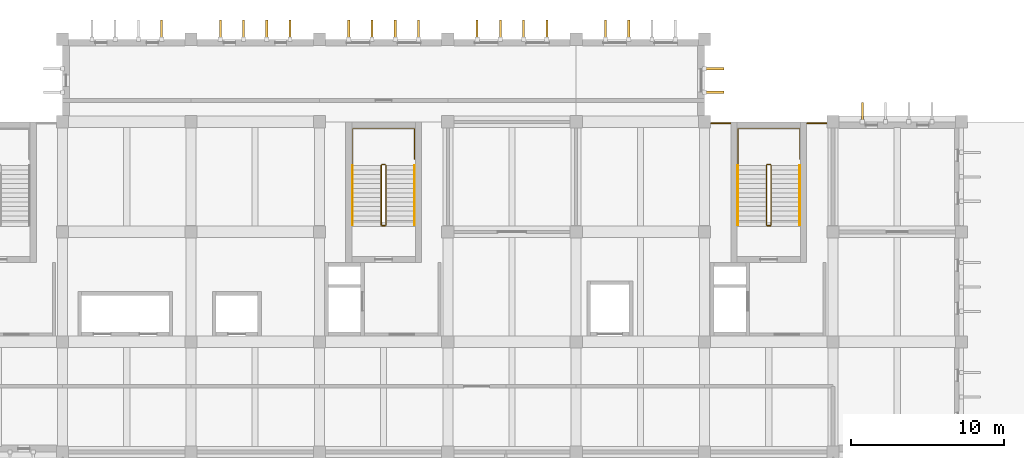
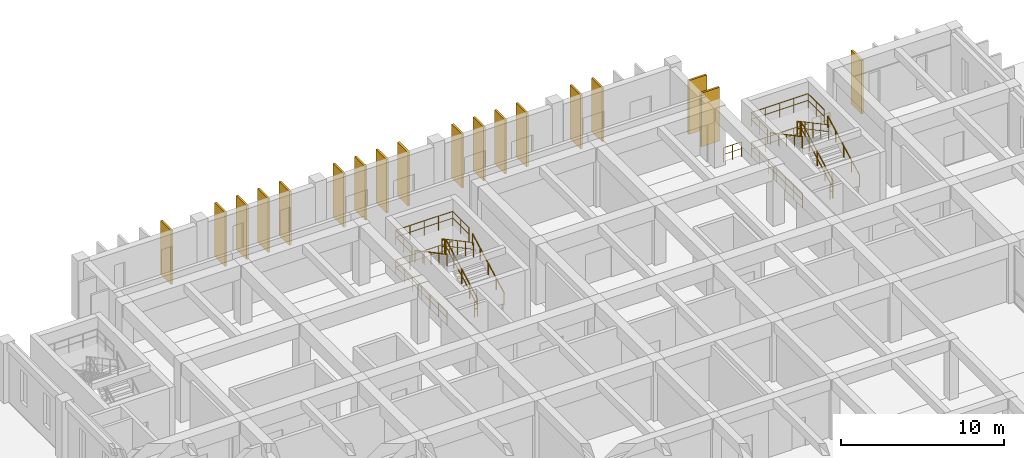
# One storey, part 39 of 40: 18 railings, 18 shading devices.
"""IFC4 building model written with IfcOpenShell, lengths in metres."""

from ifc_helpers import new_model, si_unit, direction, frame, origin, origin_2d, place, context, subcontext, project, spatial, rectangle, circle, extrude, material, type_object, element, save


model = new_model("IFC4")

# Units and contexts
model_context = context("Model", 3, precision=1e-05, world=origin(), true_north=direction((0.0, 1.0)))
body_context = subcontext(model_context, "Body", "Model", "MODEL_VIEW")
ifc_project = project(units=[si_unit("LENGTHUNIT", "METRE"), si_unit("AREAUNIT", "SQUARE_METRE"), si_unit("VOLUMEUNIT", "CUBIC_METRE"), si_unit("PLANEANGLEUNIT", "RADIAN"), si_unit("MASSUNIT", "GRAM", prefix="KILO")], contexts=[model_context])

# Site, building, storey
site_placement = place(None, origin())
site = spatial("IfcSite", under=ifc_project, at=site_placement, CompositionType="ELEMENT")
building_placement = place(site_placement, origin())
building = spatial("IfcBuilding", under=site, at=building_placement, Name="Kenerak Square Central Library", CompositionType="ELEMENT")
storey_placement = place(building_placement, frame((0.0, 0.0, 14.39990234375)))
storey = spatial("IfcBuildingStorey", under=building, at=storey_placement, Name="L03", CompositionType="ELEMENT", Elevation=14.39990234375)

# Shading devices
ifc_material_1 = material(Name="White precast concrete C40/50", Category="concrete")
shading_device_type = type_object("IfcShadingDeviceType", Name="Precast Vertical Solar Fin SF-1280 C40/50", PredefinedType="USERDEFINED", material=ifc_material_1)
for number, where, z_axis, x_axis, name in (
    (1, (73.280029296875, 116.419921875, 0.10009765625), (0.0, 0.0, 1.0), (1.0, 0.0, 0.0), "Precast Solar Fin FIN-01 L03 0240"),
    (2, (77.1201171875, 116.419921875, 0.10009765625), (0.0, 0.0, 1.0), (1.0, 0.0, 0.0), "Precast Solar Fin FIN-01 L03 0241"),
    (3, (78.639892578125, 116.419921875, 0.10009765625), (0.0, 0.0, 1.0), (1.0, 0.0, 0.0), "Precast Solar Fin FIN-01 L03 0242"),
    (4, (80.159912109375, 116.419921875, 0.10009765625), (0.0, 0.0, 1.0), (1.0, 0.0, 0.0), "Precast Solar Fin FIN-01 L03 0243"),
    (5, (81.679931640625, 116.419921875, 0.10009765625), (0.0, 0.0, 1.0), (1.0, 0.0, 0.0), "Precast Solar Fin FIN-01 L03 0244"),
    (6, (85.52001953125, 116.419921875, 0.10009765625), (0.0, 0.0, 1.0), (1.0, 0.0, 0.0), "Precast Solar Fin FIN-01 L03 0245"),
    (7, (87.0400390625, 116.419921875, 0.10009765625), (0.0, 0.0, 1.0), (1.0, 0.0, 0.0), "Precast Solar Fin FIN-01 L03 0246"),
    (8, (88.56005859375, 116.419921875, 0.10009765625), (0.0, 0.0, 1.0), (1.0, 0.0, 0.0), "Precast Solar Fin FIN-01 L03 0247"),
    (9, (90.080078125, 116.419921875, 0.10009765625), (0.0, 0.0, 1.0), (1.0, 0.0, 0.0), "Precast Solar Fin FIN-01 L03 0248"),
    (10, (93.919921875, 116.419921875, 0.10009765625), (0.0, 0.0, 1.0), (1.0, 0.0, 0.0), "Precast Solar Fin FIN-01 L03 0249"),
    (11, (95.43994140625, 116.419921875, 0.10009765625), (0.0, 0.0, 1.0), (1.0, 0.0, 0.0), "Precast Solar Fin FIN-01 L03 0250"),
    (12, (96.9599609375, 116.419921875, 0.10009765625), (0.0, 0.0, 1.0), (1.0, 0.0, 0.0), "Precast Solar Fin FIN-01 L03 0251"),
    (13, (98.47998046875, 116.419921875, 0.10009765625), (0.0, 0.0, 1.0), (1.0, 0.0, 0.0), "Precast Solar Fin FIN-01 L03 0252"),
    (14, (102.320068359375, 116.419921875, 0.10009765625), (0.0, 0.0, 1.0), (1.0, 0.0, 0.0), "Precast Solar Fin FIN-01 L03 0253"),
    (15, (103.840087890625, 116.419921875, 0.10009765625), (0.0, 0.0, 1.0), (1.0, 0.0, 0.0), "Precast Solar Fin FIN-01 L03 0254"),
    (16, (109.419921875, 113.86669921875, 0.10009765625), (0.0, 0.0, 1.0), (0.0, -1.0, 0.0), "Precast Solar Fin FIN-01 L03 0257"),
    (17, (109.419921875, 112.333251953125, 0.10009765625), (0.0, 0.0, 1.0), (0.0, -1.0, 0.0), "Precast Solar Fin FIN-01 L03 0258"),
    (18, (119.1201171875, 111.02001953125, 0.10009765625), (0.0, 0.0, 1.0), (1.0, 0.0, 0.0), "Precast Solar Fin FIN-01 L03 0259"),
):
    element("IfcShadingDevice", number, at=place(storey_placement, frame(where, z_axis=z_axis, x_axis=x_axis)), inside=storey, type_object=shading_device_type, Name=name, ObjectType="FIN", PredefinedType="USERDEFINED", context=body_context, shape_type="SweptSolid", body=[
        extrude(rectangle(XDim=0.139892578125, YDim=1.280029296875, at=origin_2d()), origin(), (0.0, 0.0, 1.0), 4.030029296875),
    ])

# Railings
ifc_material_2 = material(Name="Steel S355", Category="steel")
railing_type_1 = type_object("IfcRailingType", Name="Safety Guardrail GR-1100 S355", PredefinedType="GUARDRAIL", material=ifc_material_2)
railing_1_placement = place(storey_placement, frame((87.949951171875, 103.64990234375, 0.16015625)))
element("IfcRailing", 19, at=railing_1_placement, inside=storey, type_object=railing_type_1, Name="L03 ST-02 stair guard 1", PredefinedType="GUARDRAIL", context=body_context, shape_type="SweptSolid", body=[
    extrude(circle(Radius=0.02392578125, at=origin_2d()), frame((0.0, 0.0, 1.076171875), z_axis=(0.0, 0.882375874992, 0.470545231866), x_axis=(-1.0, 0.0, 0.0)), (0.0, 0.0, 1.0), 4.420166015625),
    extrude(circle(Radius=0.01806640625, at=origin_2d()), frame((0.0, 0.0, 0.572021484375), z_axis=(0.0, 0.882375874992, 0.470545231866), x_axis=(-1.0, 0.0, 0.0)), (0.0, 0.0, 1.0), 4.420166015625),
    extrude(circle(Radius=0.02099609375, at=origin_2d()), origin(), (0.0, 0.0, 1.0), 1.052001953125),
    extrude(circle(Radius=0.02099609375, at=origin_2d()), frame((0.0, 0.97509765625, 0.52001953125)), (0.0, 0.0, 1.0), 1.052001953125),
    extrude(circle(Radius=0.02099609375, at=origin_2d()), frame((0.0, 1.9501953125, 1.0400390625)), (0.0, 0.0, 1.0), 1.052001953125),
    extrude(circle(Radius=0.02099609375, at=origin_2d()), frame((0.0, 2.925048828125, 1.559814453125)), (0.0, 0.0, 1.0), 1.052001953125),
    extrude(circle(Radius=0.02099609375, at=origin_2d()), frame((0.0, 3.900146484375, 2.079833984375)), (0.0, 0.0, 1.0), 1.052001953125),
])
railing_2_placement = place(storey_placement, frame((87.89990234375, 107.60009765625, 2.239990234375)))
element("IfcRailing", 20, at=railing_2_placement, inside=storey, type_object=railing_type_1, Name="L03 ST-02 stair guard 2", PredefinedType="GUARDRAIL", context=body_context, shape_type="SweptSolid", body=[
    extrude(circle(Radius=0.02392578125, at=origin_2d()), frame((0.0, 0.0, 1.076171875), z_axis=(-1.0, 0.0, 0.0), x_axis=(0.0, -1.0, 0.0)), (0.0, 0.0, 1.0), 0.199951171875),
    extrude(circle(Radius=0.01806640625, at=origin_2d()), frame((0.0, 0.0, 0.572021484375), z_axis=(-1.0, 0.0, 0.0), x_axis=(0.0, -1.0, 0.0)), (0.0, 0.0, 1.0), 0.199951171875),
    extrude(circle(Radius=0.02099609375, at=origin_2d()), origin(), (0.0, 0.0, 1.0), 1.052001953125),
    extrude(circle(Radius=0.02099609375, at=origin_2d()), frame((-0.199951171875, 0.0, 0.0)), (0.0, 0.0, 1.0), 1.052001953125),
])
railing_3_placement = place(storey_placement, frame((87.64990234375, 107.550048828125, 2.400146484375)))
element("IfcRailing", 21, at=railing_3_placement, inside=storey, type_object=railing_type_1, Name="L03 ST-02 stair guard 3", PredefinedType="GUARDRAIL", context=body_context, shape_type="SweptSolid", body=[
    extrude(circle(Radius=0.02392578125, at=origin_2d()), frame((0.0, 0.0, 1.076171875), z_axis=(0.0, -0.882375874992, 0.470545231866), x_axis=(1.0, 0.0, 0.0)), (0.0, 0.0, 1.0), 4.420166015625),
    extrude(circle(Radius=0.01806640625, at=origin_2d()), frame((0.0, 0.0, 0.572021484375), z_axis=(0.0, -0.882375874992, 0.470545231866), x_axis=(1.0, 0.0, 0.0)), (0.0, 0.0, 1.0), 4.420166015625),
    extrude(circle(Radius=0.02099609375, at=origin_2d()), origin(), (0.0, 0.0, 1.0), 1.052001953125),
    extrude(circle(Radius=0.02099609375, at=origin_2d()), frame((0.0, -0.97509765625, 0.52001953125)), (0.0, 0.0, 1.0), 1.052001953125),
    extrude(circle(Radius=0.02099609375, at=origin_2d()), frame((0.0, -1.9501953125, 1.0400390625)), (0.0, 0.0, 1.0), 1.052001953125),
    extrude(circle(Radius=0.02099609375, at=origin_2d()), frame((0.0, -2.925048828125, 1.559814453125)), (0.0, 0.0, 1.0), 1.052001953125),
    extrude(circle(Radius=0.02099609375, at=origin_2d()), frame((0.0, -3.900146484375, 2.079833984375)), (0.0, 0.0, 1.0), 1.052001953125),
])
railing_4_placement = place(storey_placement, frame((87.89990234375, 103.60009765625, 0.0)))
element("IfcRailing", 22, at=railing_4_placement, inside=storey, type_object=railing_type_1, Name="L03 ST-02 stair guard 4", PredefinedType="GUARDRAIL", context=body_context, shape_type="SweptSolid", body=[
    extrude(circle(Radius=0.02392578125, at=origin_2d()), frame((0.0, 0.0, 1.076171875), z_axis=(-1.0, 0.0, 0.0), x_axis=(0.0, -1.0, 0.0)), (0.0, 0.0, 1.0), 0.199951171875),
    extrude(circle(Radius=0.01806640625, at=origin_2d()), frame((0.0, 0.0, 0.572021484375), z_axis=(-1.0, 0.0, 0.0), x_axis=(0.0, -1.0, 0.0)), (0.0, 0.0, 1.0), 0.199951171875),
    extrude(circle(Radius=0.02099609375, at=origin_2d()), origin(), (0.0, 0.0, 1.0), 1.052001953125),
    extrude(circle(Radius=0.02099609375, at=origin_2d()), frame((-0.199951171875, 0.0, 0.0)), (0.0, 0.0, 1.0), 1.052001953125),
])
railing_5_placement = place(storey_placement, frame((85.780029296875, 107.949951171875, 2.239990234375)))
element("IfcRailing", 23, at=railing_5_placement, inside=storey, type_object=railing_type_1, Name="Stair Half-Landing Guard ST-02 L03", PredefinedType="GUARDRAIL", context=body_context, shape_type="SweptSolid", body=[
    extrude(circle(Radius=0.02392578125, at=origin_2d()), frame((0.0, 0.0, 1.076171875), z_axis=(0.0, 1.0, 0.0), x_axis=(-1.0, 0.0, 0.0)), (0.0, 0.0, 1.0), 2.0),
    extrude(circle(Radius=0.01806640625, at=origin_2d()), frame((0.0, 0.0, 0.572021484375), z_axis=(0.0, 1.0, 0.0), x_axis=(-1.0, 0.0, 0.0)), (0.0, 0.0, 1.0), 2.0),
    extrude(circle(Radius=0.02392578125, at=origin_2d()), frame((0.0, 2.0, 1.076171875), z_axis=(1.0, 0.0, 0.0), x_axis=(0.0, 1.0, 0.0)), (0.0, 0.0, 1.0), 4.0400390625),
    extrude(circle(Radius=0.01806640625, at=origin_2d()), frame((0.0, 2.0, 0.572021484375), z_axis=(1.0, 0.0, 0.0), x_axis=(0.0, 1.0, 0.0)), (0.0, 0.0, 1.0), 4.0400390625),
    extrude(circle(Radius=0.02392578125, at=origin_2d()), frame((4.0400390625, 2.0, 1.076171875), z_axis=(0.0, -1.0, 0.0), x_axis=(1.0, 0.0, 0.0)), (0.0, 0.0, 1.0), 2.0),
    extrude(circle(Radius=0.01806640625, at=origin_2d()), frame((4.0400390625, 2.0, 0.572021484375), z_axis=(0.0, -1.0, 0.0), x_axis=(1.0, 0.0, 0.0)), (0.0, 0.0, 1.0), 2.0),
    extrude(circle(Radius=0.02099609375, at=origin_2d()), origin(), (0.0, 0.0, 1.0), 1.052001953125),
    extrude(circle(Radius=0.02099609375, at=origin_2d()), frame((0.0, 1.0, 0.0)), (0.0, 0.0, 1.0), 1.052001953125),
    extrude(circle(Radius=0.02099609375, at=origin_2d()), frame((0.0, 2.0, 0.0)), (0.0, 0.0, 1.0), 1.052001953125),
    extrude(circle(Radius=0.02099609375, at=origin_2d()), frame((1.010009765625, 2.0, 0.0)), (0.0, 0.0, 1.0), 1.052001953125),
    extrude(circle(Radius=0.02099609375, at=origin_2d()), frame((2.02001953125, 2.0, 0.0)), (0.0, 0.0, 1.0), 1.052001953125),
    extrude(circle(Radius=0.02099609375, at=origin_2d()), frame((3.030029296875, 2.0, 0.0)), (0.0, 0.0, 1.0), 1.052001953125),
    extrude(circle(Radius=0.02099609375, at=origin_2d()), frame((4.0400390625, 2.0, 0.0)), (0.0, 0.0, 1.0), 1.052001953125),
    extrude(circle(Radius=0.02099609375, at=origin_2d()), frame((4.0400390625, 1.0, 0.0)), (0.0, 0.0, 1.0), 1.052001953125),
    extrude(circle(Radius=0.02099609375, at=origin_2d()), frame((4.0400390625, 0.0, 0.0)), (0.0, 0.0, 1.0), 1.052001953125),
])
railing_6_placement = place(storey_placement, frame((85.780029296875, 103.64990234375, 0.0)))
element("IfcRailing", 24, at=railing_6_placement, inside=storey, type_object=railing_type_1, Name="Stair Well Floor Guard ST-02 L03", PredefinedType="GUARDRAIL", context=body_context, shape_type="SweptSolid", body=[
    extrude(circle(Radius=0.02392578125, at=origin_2d()), frame((0.0, 0.0, 1.076171875), z_axis=(0.0, 1.0, 0.0), x_axis=(-1.0, 0.0, 0.0)), (0.0, 0.0, 1.0), 6.300048828125),
    extrude(circle(Radius=0.01806640625, at=origin_2d()), frame((0.0, 0.0, 0.572021484375), z_axis=(0.0, 1.0, 0.0), x_axis=(-1.0, 0.0, 0.0)), (0.0, 0.0, 1.0), 6.300048828125),
    extrude(circle(Radius=0.02392578125, at=origin_2d()), frame((0.0, 6.300048828125, 1.076171875), z_axis=(1.0, 0.0, 0.0), x_axis=(0.0, 1.0, 0.0)), (0.0, 0.0, 1.0), 4.0400390625),
    extrude(circle(Radius=0.01806640625, at=origin_2d()), frame((0.0, 6.300048828125, 0.572021484375), z_axis=(1.0, 0.0, 0.0), x_axis=(0.0, 1.0, 0.0)), (0.0, 0.0, 1.0), 4.0400390625),
    extrude(circle(Radius=0.02099609375, at=origin_2d()), origin(), (0.0, 0.0, 1.0), 1.052001953125),
    extrude(circle(Radius=0.02099609375, at=origin_2d()), frame((0.0, 1.050048828125, 0.0)), (0.0, 0.0, 1.0), 1.052001953125),
    extrude(circle(Radius=0.02099609375, at=origin_2d()), frame((0.0, 2.10009765625, 0.0)), (0.0, 0.0, 1.0), 1.052001953125),
    extrude(circle(Radius=0.02099609375, at=origin_2d()), frame((0.0, 3.14990234375, 0.0)), (0.0, 0.0, 1.0), 1.052001953125),
    extrude(circle(Radius=0.02099609375, at=origin_2d()), frame((0.0, 4.199951171875, 0.0)), (0.0, 0.0, 1.0), 1.052001953125),
    extrude(circle(Radius=0.02099609375, at=origin_2d()), frame((0.0, 5.25, 0.0)), (0.0, 0.0, 1.0), 1.052001953125),
    extrude(circle(Radius=0.02099609375, at=origin_2d()), frame((0.0, 6.300048828125, 0.0)), (0.0, 0.0, 1.0), 1.052001953125),
    extrude(circle(Radius=0.02099609375, at=origin_2d()), frame((1.010009765625, 6.300048828125, 0.0)), (0.0, 0.0, 1.0), 1.052001953125),
    extrude(circle(Radius=0.02099609375, at=origin_2d()), frame((2.02001953125, 6.300048828125, 0.0)), (0.0, 0.0, 1.0), 1.052001953125),
    extrude(circle(Radius=0.02099609375, at=origin_2d()), frame((3.030029296875, 6.300048828125, 0.0)), (0.0, 0.0, 1.0), 1.052001953125),
    extrude(circle(Radius=0.02099609375, at=origin_2d()), frame((4.0400390625, 6.300048828125, 0.0)), (0.0, 0.0, 1.0), 1.052001953125),
])
railing_7_placement = place(storey_placement, frame((113.14990234375, 103.64990234375, 0.16015625)))
element("IfcRailing", 25, at=railing_7_placement, inside=storey, type_object=railing_type_1, Name="L03 ST-03 stair guard 1", PredefinedType="GUARDRAIL", context=body_context, shape_type="SweptSolid", body=[
    extrude(circle(Radius=0.02392578125, at=origin_2d()), frame((0.0, 0.0, 1.076171875), z_axis=(0.0, 0.882375874992, 0.470545231866), x_axis=(-1.0, 0.0, 0.0)), (0.0, 0.0, 1.0), 4.420166015625),
    extrude(circle(Radius=0.01806640625, at=origin_2d()), frame((0.0, 0.0, 0.572021484375), z_axis=(0.0, 0.882375874992, 0.470545231866), x_axis=(-1.0, 0.0, 0.0)), (0.0, 0.0, 1.0), 4.420166015625),
    extrude(circle(Radius=0.02099609375, at=origin_2d()), origin(), (0.0, 0.0, 1.0), 1.052001953125),
    extrude(circle(Radius=0.02099609375, at=origin_2d()), frame((0.0, 0.97509765625, 0.52001953125)), (0.0, 0.0, 1.0), 1.052001953125),
    extrude(circle(Radius=0.02099609375, at=origin_2d()), frame((0.0, 1.9501953125, 1.0400390625)), (0.0, 0.0, 1.0), 1.052001953125),
    extrude(circle(Radius=0.02099609375, at=origin_2d()), frame((0.0, 2.925048828125, 1.559814453125)), (0.0, 0.0, 1.0), 1.052001953125),
    extrude(circle(Radius=0.02099609375, at=origin_2d()), frame((0.0, 3.900146484375, 2.079833984375)), (0.0, 0.0, 1.0), 1.052001953125),
])
railing_8_placement = place(storey_placement, frame((113.10009765625, 107.60009765625, 2.239990234375)))
element("IfcRailing", 26, at=railing_8_placement, inside=storey, type_object=railing_type_1, Name="L03 ST-03 stair guard 2", PredefinedType="GUARDRAIL", context=body_context, shape_type="SweptSolid", body=[
    extrude(circle(Radius=0.02392578125, at=origin_2d()), frame((0.0, 0.0, 1.076171875), z_axis=(-1.0, 0.0, 0.0), x_axis=(0.0, -1.0, 0.0)), (0.0, 0.0, 1.0), 0.2001953125),
    extrude(circle(Radius=0.01806640625, at=origin_2d()), frame((0.0, 0.0, 0.572021484375), z_axis=(-1.0, 0.0, 0.0), x_axis=(0.0, -1.0, 0.0)), (0.0, 0.0, 1.0), 0.2001953125),
    extrude(circle(Radius=0.02099609375, at=origin_2d()), origin(), (0.0, 0.0, 1.0), 1.052001953125),
    extrude(circle(Radius=0.02099609375, at=origin_2d()), frame((-0.2001953125, 0.0, 0.0)), (0.0, 0.0, 1.0), 1.052001953125),
])
railing_9_placement = place(storey_placement, frame((112.85009765625, 107.550048828125, 2.400146484375)))
element("IfcRailing", 27, at=railing_9_placement, inside=storey, type_object=railing_type_1, Name="L03 ST-03 stair guard 3", PredefinedType="GUARDRAIL", context=body_context, shape_type="SweptSolid", body=[
    extrude(circle(Radius=0.02392578125, at=origin_2d()), frame((0.0, 0.0, 1.076171875), z_axis=(0.0, -0.882375874992, 0.470545231866), x_axis=(1.0, 0.0, 0.0)), (0.0, 0.0, 1.0), 4.420166015625),
    extrude(circle(Radius=0.01806640625, at=origin_2d()), frame((0.0, 0.0, 0.572021484375), z_axis=(0.0, -0.882375874992, 0.470545231866), x_axis=(1.0, 0.0, 0.0)), (0.0, 0.0, 1.0), 4.420166015625),
    extrude(circle(Radius=0.02099609375, at=origin_2d()), origin(), (0.0, 0.0, 1.0), 1.052001953125),
    extrude(circle(Radius=0.02099609375, at=origin_2d()), frame((0.0, -0.97509765625, 0.52001953125)), (0.0, 0.0, 1.0), 1.052001953125),
    extrude(circle(Radius=0.02099609375, at=origin_2d()), frame((0.0, -1.9501953125, 1.0400390625)), (0.0, 0.0, 1.0), 1.052001953125),
    extrude(circle(Radius=0.02099609375, at=origin_2d()), frame((0.0, -2.925048828125, 1.559814453125)), (0.0, 0.0, 1.0), 1.052001953125),
    extrude(circle(Radius=0.02099609375, at=origin_2d()), frame((0.0, -3.900146484375, 2.079833984375)), (0.0, 0.0, 1.0), 1.052001953125),
])
railing_10_placement = place(storey_placement, frame((113.10009765625, 103.60009765625, 0.0)))
element("IfcRailing", 28, at=railing_10_placement, inside=storey, type_object=railing_type_1, Name="L03 ST-03 stair guard 4", PredefinedType="GUARDRAIL", context=body_context, shape_type="SweptSolid", body=[
    extrude(circle(Radius=0.02392578125, at=origin_2d()), frame((0.0, 0.0, 1.076171875), z_axis=(-1.0, 0.0, 0.0), x_axis=(0.0, -1.0, 0.0)), (0.0, 0.0, 1.0), 0.2001953125),
    extrude(circle(Radius=0.01806640625, at=origin_2d()), frame((0.0, 0.0, 0.572021484375), z_axis=(-1.0, 0.0, 0.0), x_axis=(0.0, -1.0, 0.0)), (0.0, 0.0, 1.0), 0.2001953125),
    extrude(circle(Radius=0.02099609375, at=origin_2d()), origin(), (0.0, 0.0, 1.0), 1.052001953125),
    extrude(circle(Radius=0.02099609375, at=origin_2d()), frame((-0.2001953125, 0.0, 0.0)), (0.0, 0.0, 1.0), 1.052001953125),
])
railing_11_placement = place(storey_placement, frame((110.97998046875, 107.949951171875, 2.239990234375)))
element("IfcRailing", 29, at=railing_11_placement, inside=storey, type_object=railing_type_1, Name="Stair Half-Landing Guard ST-03 L03", PredefinedType="GUARDRAIL", context=body_context, shape_type="SweptSolid", body=[
    extrude(circle(Radius=0.02392578125, at=origin_2d()), frame((0.0, 0.0, 1.076171875), z_axis=(0.0, 1.0, 0.0), x_axis=(-1.0, 0.0, 0.0)), (0.0, 0.0, 1.0), 2.0),
    extrude(circle(Radius=0.01806640625, at=origin_2d()), frame((0.0, 0.0, 0.572021484375), z_axis=(0.0, 1.0, 0.0), x_axis=(-1.0, 0.0, 0.0)), (0.0, 0.0, 1.0), 2.0),
    extrude(circle(Radius=0.02392578125, at=origin_2d()), frame((0.0, 2.0, 1.076171875), z_axis=(1.0, 0.0, 0.0), x_axis=(0.0, 1.0, 0.0)), (0.0, 0.0, 1.0), 4.0400390625),
    extrude(circle(Radius=0.01806640625, at=origin_2d()), frame((0.0, 2.0, 0.572021484375), z_axis=(1.0, 0.0, 0.0), x_axis=(0.0, 1.0, 0.0)), (0.0, 0.0, 1.0), 4.0400390625),
    extrude(circle(Radius=0.02392578125, at=origin_2d()), frame((4.0400390625, 2.0, 1.076171875), z_axis=(0.0, -1.0, 0.0), x_axis=(1.0, 0.0, 0.0)), (0.0, 0.0, 1.0), 2.0),
    extrude(circle(Radius=0.01806640625, at=origin_2d()), frame((4.0400390625, 2.0, 0.572021484375), z_axis=(0.0, -1.0, 0.0), x_axis=(1.0, 0.0, 0.0)), (0.0, 0.0, 1.0), 2.0),
    extrude(circle(Radius=0.02099609375, at=origin_2d()), origin(), (0.0, 0.0, 1.0), 1.052001953125),
    extrude(circle(Radius=0.02099609375, at=origin_2d()), frame((0.0, 1.0, 0.0)), (0.0, 0.0, 1.0), 1.052001953125),
    extrude(circle(Radius=0.02099609375, at=origin_2d()), frame((0.0, 2.0, 0.0)), (0.0, 0.0, 1.0), 1.052001953125),
    extrude(circle(Radius=0.02099609375, at=origin_2d()), frame((1.010009765625, 2.0, 0.0)), (0.0, 0.0, 1.0), 1.052001953125),
    extrude(circle(Radius=0.02099609375, at=origin_2d()), frame((2.02001953125, 2.0, 0.0)), (0.0, 0.0, 1.0), 1.052001953125),
    extrude(circle(Radius=0.02099609375, at=origin_2d()), frame((3.030029296875, 2.0, 0.0)), (0.0, 0.0, 1.0), 1.052001953125),
    extrude(circle(Radius=0.02099609375, at=origin_2d()), frame((4.0400390625, 2.0, 0.0)), (0.0, 0.0, 1.0), 1.052001953125),
    extrude(circle(Radius=0.02099609375, at=origin_2d()), frame((4.0400390625, 1.0, 0.0)), (0.0, 0.0, 1.0), 1.052001953125),
    extrude(circle(Radius=0.02099609375, at=origin_2d()), frame((4.0400390625, 0.0, 0.0)), (0.0, 0.0, 1.0), 1.052001953125),
])
railing_12_placement = place(storey_placement, frame((110.97998046875, 103.64990234375, 0.0)))
element("IfcRailing", 30, at=railing_12_placement, inside=storey, type_object=railing_type_1, Name="Stair Well Floor Guard ST-03 L03", PredefinedType="GUARDRAIL", context=body_context, shape_type="SweptSolid", body=[
    extrude(circle(Radius=0.02392578125, at=origin_2d()), frame((0.0, 0.0, 1.076171875), z_axis=(0.0, 1.0, 0.0), x_axis=(-1.0, 0.0, 0.0)), (0.0, 0.0, 1.0), 6.300048828125),
    extrude(circle(Radius=0.01806640625, at=origin_2d()), frame((0.0, 0.0, 0.572021484375), z_axis=(0.0, 1.0, 0.0), x_axis=(-1.0, 0.0, 0.0)), (0.0, 0.0, 1.0), 6.300048828125),
    extrude(circle(Radius=0.02392578125, at=origin_2d()), frame((0.0, 6.300048828125, 1.076171875), z_axis=(1.0, 0.0, 0.0), x_axis=(0.0, 1.0, 0.0)), (0.0, 0.0, 1.0), 4.0400390625),
    extrude(circle(Radius=0.01806640625, at=origin_2d()), frame((0.0, 6.300048828125, 0.572021484375), z_axis=(1.0, 0.0, 0.0), x_axis=(0.0, 1.0, 0.0)), (0.0, 0.0, 1.0), 4.0400390625),
    extrude(circle(Radius=0.02099609375, at=origin_2d()), origin(), (0.0, 0.0, 1.0), 1.052001953125),
    extrude(circle(Radius=0.02099609375, at=origin_2d()), frame((0.0, 1.050048828125, 0.0)), (0.0, 0.0, 1.0), 1.052001953125),
    extrude(circle(Radius=0.02099609375, at=origin_2d()), frame((0.0, 2.10009765625, 0.0)), (0.0, 0.0, 1.0), 1.052001953125),
    extrude(circle(Radius=0.02099609375, at=origin_2d()), frame((0.0, 3.14990234375, 0.0)), (0.0, 0.0, 1.0), 1.052001953125),
    extrude(circle(Radius=0.02099609375, at=origin_2d()), frame((0.0, 4.199951171875, 0.0)), (0.0, 0.0, 1.0), 1.052001953125),
    extrude(circle(Radius=0.02099609375, at=origin_2d()), frame((0.0, 5.25, 0.0)), (0.0, 0.0, 1.0), 1.052001953125),
    extrude(circle(Radius=0.02099609375, at=origin_2d()), frame((0.0, 6.300048828125, 0.0)), (0.0, 0.0, 1.0), 1.052001953125),
    extrude(circle(Radius=0.02099609375, at=origin_2d()), frame((1.010009765625, 6.300048828125, 0.0)), (0.0, 0.0, 1.0), 1.052001953125),
    extrude(circle(Radius=0.02099609375, at=origin_2d()), frame((2.02001953125, 6.300048828125, 0.0)), (0.0, 0.0, 1.0), 1.052001953125),
    extrude(circle(Radius=0.02099609375, at=origin_2d()), frame((3.030029296875, 6.300048828125, 0.0)), (0.0, 0.0, 1.0), 1.052001953125),
    extrude(circle(Radius=0.02099609375, at=origin_2d()), frame((4.0400390625, 6.300048828125, 0.0)), (0.0, 0.0, 1.0), 1.052001953125),
])
for number, where, name in (
    (31, (109.221923828125, 110.300048828125, 0.0), "Perimeter Edge Guardrail L03 109-1"),
    (32, (115.501953125, 110.300048828125, 0.0), "Perimeter Edge Guardrail L03 115-2"),
):
    element("IfcRailing", number, at=place(storey_placement, frame(where)), inside=storey, type_object=railing_type_1, Name=name, PredefinedType="GUARDRAIL", context=body_context, shape_type="SweptSolid", body=[
        extrude(circle(Radius=0.02392578125, at=origin_2d()), frame((0.0, 0.0, 1.076171875), z_axis=(1.0, 0.0, 0.0), x_axis=(0.0, 1.0, 0.0)), (0.0, 0.0, 1.0), 1.276123046875),
        extrude(circle(Radius=0.01806640625, at=origin_2d()), frame((0.0, 0.0, 0.572021484375), z_axis=(1.0, 0.0, 0.0), x_axis=(0.0, 1.0, 0.0)), (0.0, 0.0, 1.0), 1.276123046875),
        extrude(circle(Radius=0.02099609375, at=origin_2d()), origin(), (0.0, 0.0, 1.0), 1.052001953125),
        extrude(circle(Radius=0.02099609375, at=origin_2d()), frame((0.63818359375, 0.0, 0.0)), (0.0, 0.0, 1.0), 1.052001953125),
        extrude(circle(Radius=0.02099609375, at=origin_2d()), frame((1.276123046875, 0.0, 0.0)), (0.0, 0.0, 1.0), 1.052001953125),
    ])
railing_type_2 = type_object("IfcRailingType", Name="Stair Handrail HR-880 S355", PredefinedType="HANDRAIL", material=ifc_material_2)
railing_13_placement = place(storey_placement, frame((89.830078125, 103.64990234375, 0.16015625)))
element("IfcRailing", 33, at=railing_13_placement, inside=storey, type_object=railing_type_2, Name="L03 ST-02 stair handrail 1", PredefinedType="HANDRAIL", context=body_context, shape_type="SweptSolid", body=[
    extrude(circle(Radius=0.02392578125, at=origin_2d()), frame((0.0, 0.0, 0.85595703125), z_axis=(0.0, 0.882375874992, 0.470545231866), x_axis=(-1.0, 0.0, 0.0)), (0.0, 0.0, 1.0), 4.420166015625),
    extrude(circle(Radius=0.02099609375, at=origin_2d()), origin(), (0.0, 0.0, 1.0), 0.831787109375),
    extrude(circle(Radius=0.02099609375, at=origin_2d()), frame((0.0, 0.97509765625, 0.52001953125)), (0.0, 0.0, 1.0), 0.831787109375),
    extrude(circle(Radius=0.02099609375, at=origin_2d()), frame((0.0, 1.9501953125, 1.0400390625)), (0.0, 0.0, 1.0), 0.831787109375),
    extrude(circle(Radius=0.02099609375, at=origin_2d()), frame((0.0, 2.925048828125, 1.559814453125)), (0.0, 0.0, 1.0), 0.831787109375),
    extrude(circle(Radius=0.02099609375, at=origin_2d()), frame((0.0, 3.900146484375, 2.079833984375)), (0.0, 0.0, 1.0), 0.831787109375),
])
railing_14_placement = place(storey_placement, frame((85.77001953125, 107.550048828125, 2.400146484375)))
element("IfcRailing", 34, at=railing_14_placement, inside=storey, type_object=railing_type_2, Name="L03 ST-02 stair handrail 2", PredefinedType="HANDRAIL", context=body_context, shape_type="SweptSolid", body=[
    extrude(circle(Radius=0.02392578125, at=origin_2d()), frame((0.0, 0.0, 0.85595703125), z_axis=(0.0, -0.882375874992, 0.470545231866), x_axis=(1.0, 0.0, 0.0)), (0.0, 0.0, 1.0), 4.420166015625),
    extrude(circle(Radius=0.02099609375, at=origin_2d()), origin(), (0.0, 0.0, 1.0), 0.831787109375),
    extrude(circle(Radius=0.02099609375, at=origin_2d()), frame((0.0, -0.97509765625, 0.52001953125)), (0.0, 0.0, 1.0), 0.831787109375),
    extrude(circle(Radius=0.02099609375, at=origin_2d()), frame((0.0, -1.9501953125, 1.0400390625)), (0.0, 0.0, 1.0), 0.831787109375),
    extrude(circle(Radius=0.02099609375, at=origin_2d()), frame((0.0, -2.925048828125, 1.559814453125)), (0.0, 0.0, 1.0), 0.831787109375),
    extrude(circle(Radius=0.02099609375, at=origin_2d()), frame((0.0, -3.900146484375, 2.079833984375)), (0.0, 0.0, 1.0), 0.831787109375),
])
railing_15_placement = place(storey_placement, frame((115.030029296875, 103.64990234375, 0.16015625)))
element("IfcRailing", 35, at=railing_15_placement, inside=storey, type_object=railing_type_2, Name="L03 ST-03 stair handrail 1", PredefinedType="HANDRAIL", context=body_context, shape_type="SweptSolid", body=[
    extrude(circle(Radius=0.02392578125, at=origin_2d()), frame((0.0, 0.0, 0.85595703125), z_axis=(0.0, 0.882375874992, 0.470545231866), x_axis=(-1.0, 0.0, 0.0)), (0.0, 0.0, 1.0), 4.420166015625),
    extrude(circle(Radius=0.02099609375, at=origin_2d()), origin(), (0.0, 0.0, 1.0), 0.831787109375),
    extrude(circle(Radius=0.02099609375, at=origin_2d()), frame((0.0, 0.97509765625, 0.52001953125)), (0.0, 0.0, 1.0), 0.831787109375),
    extrude(circle(Radius=0.02099609375, at=origin_2d()), frame((0.0, 1.9501953125, 1.0400390625)), (0.0, 0.0, 1.0), 0.831787109375),
    extrude(circle(Radius=0.02099609375, at=origin_2d()), frame((0.0, 2.925048828125, 1.559814453125)), (0.0, 0.0, 1.0), 0.831787109375),
    extrude(circle(Radius=0.02099609375, at=origin_2d()), frame((0.0, 3.900146484375, 2.079833984375)), (0.0, 0.0, 1.0), 0.831787109375),
])
railing_16_placement = place(storey_placement, frame((110.969970703125, 107.550048828125, 2.400146484375)))
element("IfcRailing", 36, at=railing_16_placement, inside=storey, type_object=railing_type_2, Name="L03 ST-03 stair handrail 2", PredefinedType="HANDRAIL", context=body_context, shape_type="SweptSolid", body=[
    extrude(circle(Radius=0.02392578125, at=origin_2d()), frame((0.0, 0.0, 0.85595703125), z_axis=(0.0, -0.882375874992, 0.470545231866), x_axis=(1.0, 0.0, 0.0)), (0.0, 0.0, 1.0), 4.420166015625),
    extrude(circle(Radius=0.02099609375, at=origin_2d()), origin(), (0.0, 0.0, 1.0), 0.831787109375),
    extrude(circle(Radius=0.02099609375, at=origin_2d()), frame((0.0, -0.97509765625, 0.52001953125)), (0.0, 0.0, 1.0), 0.831787109375),
    extrude(circle(Radius=0.02099609375, at=origin_2d()), frame((0.0, -1.9501953125, 1.0400390625)), (0.0, 0.0, 1.0), 0.831787109375),
    extrude(circle(Radius=0.02099609375, at=origin_2d()), frame((0.0, -2.925048828125, 1.559814453125)), (0.0, 0.0, 1.0), 0.831787109375),
    extrude(circle(Radius=0.02099609375, at=origin_2d()), frame((0.0, -3.900146484375, 2.079833984375)), (0.0, 0.0, 1.0), 0.831787109375),
])

save(model, "model.ifc")
